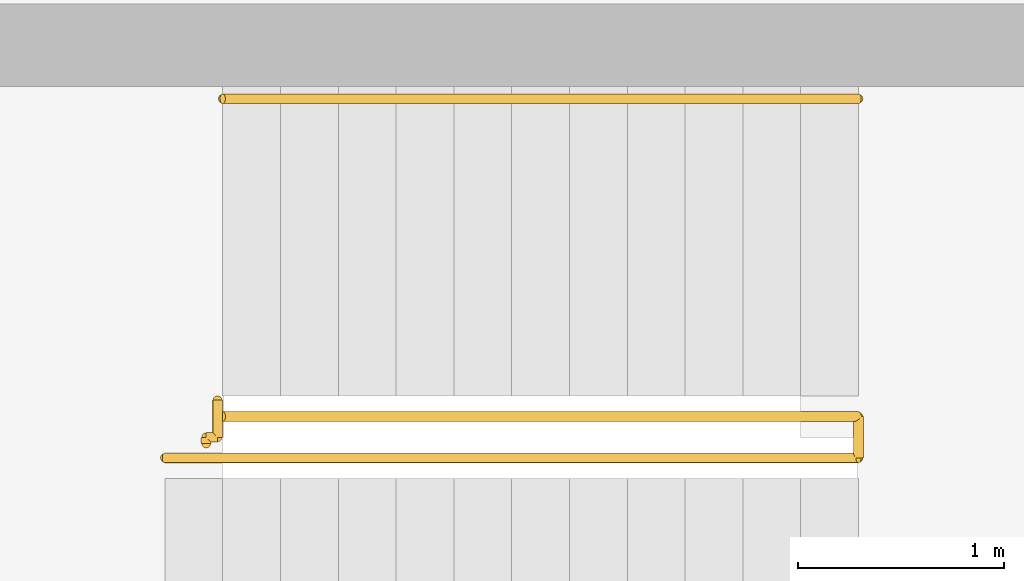
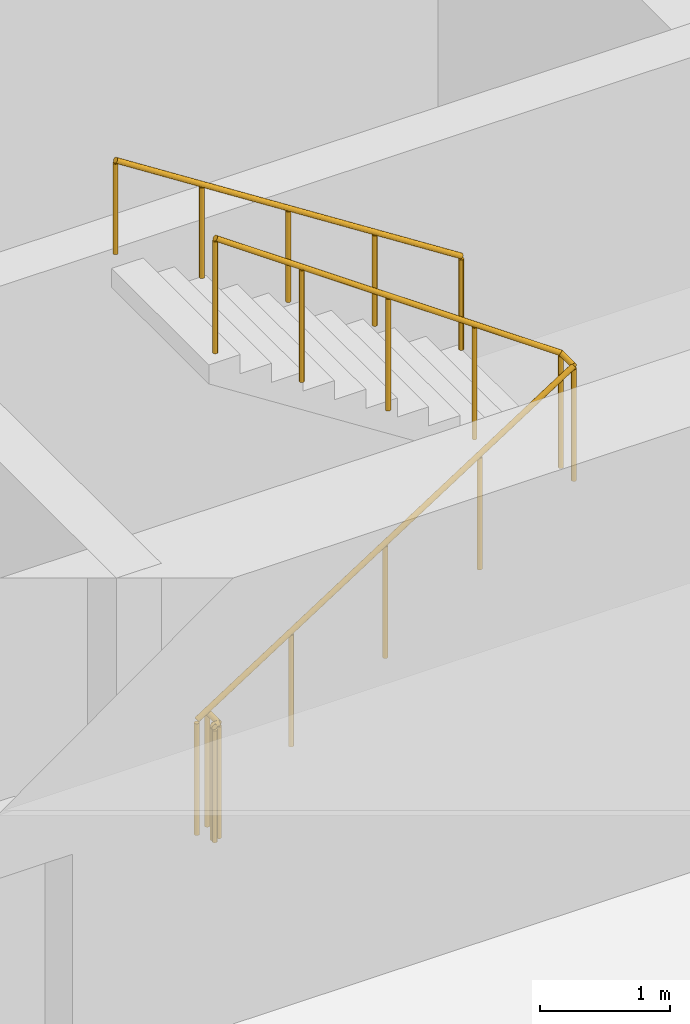
# One storey, part 18 of 22: 3 railings.
"""IFC4 building model written with IfcOpenShell, lengths in metres."""

from ifc_helpers import new_model, si_unit, direction, frame, origin, origin_2d, place, context, subcontext, project, spatial, circle, extrude, material, type_object, element, save


model = new_model("IFC4")

# Units and contexts
model_context = context("Model", 3, precision=1e-05, world=origin(), true_north=direction((0.0, 1.0)))
body_context = subcontext(model_context, "Body", "Model", "MODEL_VIEW")
ifc_project = project(units=[si_unit("LENGTHUNIT", "METRE"), si_unit("AREAUNIT", "SQUARE_METRE"), si_unit("VOLUMEUNIT", "CUBIC_METRE"), si_unit("PLANEANGLEUNIT", "RADIAN"), si_unit("MASSUNIT", "GRAM", prefix="KILO")], contexts=[model_context])

# Site, building, storey
site_placement = place(None, origin())
site = spatial("IfcSite", under=ifc_project, at=site_placement, CompositionType="ELEMENT")
building_placement = place(site_placement, origin())
building = spatial("IfcBuilding", under=site, at=building_placement, Name="Claustro Exchange Tower", CompositionType="ELEMENT")
storey_placement = place(building_placement, frame((0.0, 0.0, 14.39990234375)))
storey = spatial("IfcBuildingStorey", under=building, at=storey_placement, Name="L03", CompositionType="ELEMENT", Elevation=14.39990234375)

# Railings
ifc_material_1 = material(Name="Steel balustrade, painted", Category="steel")
railing_type_1 = type_object("IfcRailingType", Name="GR2 1100 steel stair guard", PredefinedType="GUARDRAIL", material=ifc_material_1)
railing_1_placement = place(storey_placement, frame((45.199951171875, 15.10009765625, 0.18017578125)))
element("IfcRailing", 1, at=railing_1_placement, inside=storey, type_object=railing_type_1, Name="Stair well guard GR2 stair STEA L03", PredefinedType="GUARDRAIL", context=body_context, shape_type="SweptSolid", body=[
    extrude(circle(Radius=0.02392578125, at=origin_2d()), frame((0.0, 0.0, 1.076171875), z_axis=(0.84119634759, 0.0, 0.540729789082), x_axis=(0.0, 1.0, 0.0)), (0.0, 0.0, 1.0), 3.994384765625),
    extrude(circle(Radius=0.02392578125, at=origin_2d()), frame((3.360107421875, 0.0, 3.23583984375), z_axis=(0.0, 1.0, 0.0), x_axis=(-1.0, 0.0, 0.0)), (0.0, 0.0, 1.0), 0.199951171875),
    extrude(circle(Radius=0.02392578125, at=origin_2d()), frame((3.360107421875, 0.199951171875, 3.23583984375), z_axis=(-0.8187499073, 0.0, 0.574150319426), x_axis=(0.0, -1.0, 0.0)), (0.0, 0.0, 1.0), 3.761962890625),
    extrude(circle(Radius=0.02099609375, at=origin_2d()), origin(), (0.0, 0.0, 1.0), 1.052001953125),
    extrude(circle(Radius=0.02099609375, at=origin_2d()), frame((0.840087890625, 0.0, 0.5400390625)), (0.0, 0.0, 1.0), 1.052001953125),
    extrude(circle(Radius=0.02099609375, at=origin_2d()), frame((1.68017578125, 0.0, 1.080078125)), (0.0, 0.0, 1.0), 1.052001953125),
    extrude(circle(Radius=0.02099609375, at=origin_2d()), frame((2.52001953125, 0.0, 1.619873046875)), (0.0, 0.0, 1.0), 1.052001953125),
    extrude(circle(Radius=0.02099609375, at=origin_2d()), frame((3.360107421875, 0.0, 2.159912109375)), (0.0, 0.0, 1.0), 1.052001953125),
    extrude(circle(Radius=0.02099609375, at=origin_2d()), frame((3.360107421875, 0.199951171875, 2.159912109375)), (0.0, 0.0, 1.0), 1.052001953125),
    extrude(circle(Radius=0.02099609375, at=origin_2d()), frame((2.590087890625, 0.199951171875, 2.699951171875)), (0.0, 0.0, 1.0), 1.052001953125),
    extrude(circle(Radius=0.02099609375, at=origin_2d()), frame((1.820068359375, 0.199951171875, 3.23974609375)), (0.0, 0.0, 1.0), 1.052001953125),
    extrude(circle(Radius=0.02099609375, at=origin_2d()), frame((1.050048828125, 0.199951171875, 3.77978515625)), (0.0, 0.0, 1.0), 1.052001953125),
    extrude(circle(Radius=0.02099609375, at=origin_2d()), frame((0.280029296875, 0.199951171875, 4.31982421875)), (0.0, 0.0, 1.0), 1.052001953125),
])
railing_2_placement = place(storey_placement, frame((45.39990234375, 15.169921875, 0.0)))
element("IfcRailing", 2, at=railing_2_placement, inside=storey, type_object=railing_type_1, Name="Stair guard GR2 STEA L03", PredefinedType="GUARDRAIL", context=body_context, shape_type="SweptSolid", body=[
    extrude(circle(Radius=0.02392578125, at=origin_2d()), frame((0.0, 0.0, 1.076171875), z_axis=(0.0, 1.0, 0.0), x_axis=(-1.0, 0.0, 0.0)), (0.0, 0.0, 1.0), 0.030029296875),
    extrude(circle(Radius=0.02392578125, at=origin_2d()), frame((0.0, 0.030029296875, 1.076171875), z_axis=(1.0, 0.0, 0.0), x_axis=(0.0, 1.0, 0.0)), (0.0, 0.0, 1.0), 0.05517578125),
    extrude(circle(Radius=0.02392578125, at=origin_2d()), frame((0.05517578125, 0.030029296875, 1.076171875), z_axis=(0.0, 1.0, 0.0), x_axis=(-1.0, 0.0, 0.0)), (0.0, 0.0, 1.0), 0.179931640625),
    extrude(circle(Radius=0.02099609375, at=origin_2d()), origin(), (0.0, 0.0, 1.0), 1.052001953125),
    extrude(circle(Radius=0.02099609375, at=origin_2d()), frame((0.0, 0.030029296875, 0.0)), (0.0, 0.0, 1.0), 1.052001953125),
    extrude(circle(Radius=0.02099609375, at=origin_2d()), frame((0.05517578125, 0.030029296875, 0.0)), (0.0, 0.0, 1.0), 1.052001953125),
    extrude(circle(Radius=0.02099609375, at=origin_2d()), frame((0.05517578125, 0.2099609375, 0.0)), (0.0, 0.0, 1.0), 1.052001953125),
])
ifc_material_2 = material(Name="Stainless steel tube", Category="steel")
railing_type_2 = type_object("IfcRailingType", Name="HR1 900 stair handrail", PredefinedType="HANDRAIL", material=ifc_material_2)
railing_3_placement = place(storey_placement, frame((48.56005859375, 16.840087890625, 2.52001953125)))
element("IfcRailing", 3, at=railing_3_placement, inside=storey, type_object=railing_type_2, Name="Handrail HR1 stair STEA L03", PredefinedType="HANDRAIL", context=body_context, shape_type="SweptSolid", body=[
    extrude(circle(Radius=0.02392578125, at=origin_2d()), frame((0.0, 0.0, 0.8759765625), z_axis=(-0.84118714077, 0.0, 0.540744111576), x_axis=(0.0, -1.0, 0.0)), (0.0, 0.0, 1.0), 3.66162109375),
    extrude(circle(Radius=0.02099609375, at=origin_2d()), origin(), (0.0, 0.0, 1.0), 0.851806640625),
    extrude(circle(Radius=0.02099609375, at=origin_2d()), frame((-0.77001953125, 0.0, 0.4951171875)), (0.0, 0.0, 1.0), 0.851806640625),
    extrude(circle(Radius=0.02099609375, at=origin_2d()), frame((-1.5400390625, 0.0, 0.989990234375)), (0.0, 0.0, 1.0), 0.851806640625),
    extrude(circle(Radius=0.02099609375, at=origin_2d()), frame((-2.31005859375, 0.0, 1.48486328125)), (0.0, 0.0, 1.0), 0.851806640625),
    extrude(circle(Radius=0.02099609375, at=origin_2d()), frame((-3.080078125, 0.0, 1.97998046875)), (0.0, 0.0, 1.0), 0.851806640625),
])

save(model, "model.ifc")
